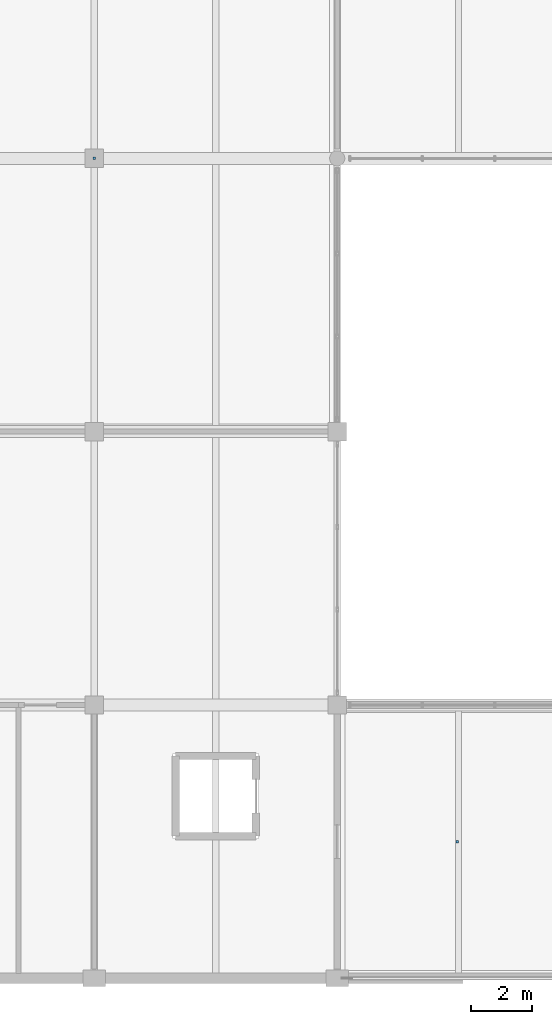
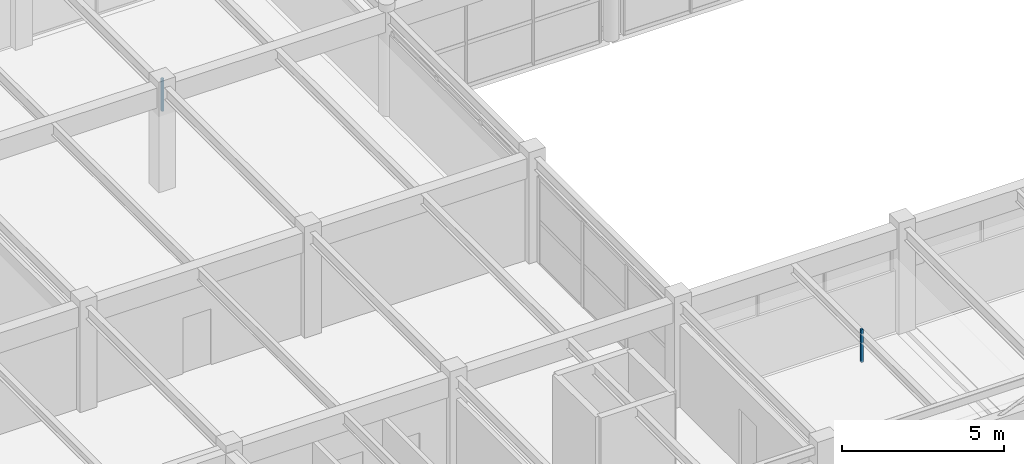
# One storey, part 111 of 126: 2 discrete accessories.
"""IFC4 building model written with IfcOpenShell, lengths in metres."""

from ifc_helpers import new_model, si_unit, direction, frame, origin, origin_2d, place, context, subcontext, project, spatial, rectangle, extrude, material, layer, layer_set, type_object, element, save


model = new_model("IFC4")

# Units and contexts
model_context = context("Model", 3, precision=1e-05, world=origin(), true_north=direction((0.0, 1.0)))
body_context = subcontext(model_context, "Body", "Model", "MODEL_VIEW")
ifc_project = project(units=[si_unit("LENGTHUNIT", "METRE"), si_unit("AREAUNIT", "SQUARE_METRE"), si_unit("VOLUMEUNIT", "CUBIC_METRE"), si_unit("PLANEANGLEUNIT", "RADIAN"), si_unit("MASSUNIT", "GRAM", prefix="KILO")], contexts=[model_context])

# Site, building, storey
site_placement = place(None, origin())
site = spatial("IfcSite", under=ifc_project, at=site_placement, CompositionType="ELEMENT")
building_placement = place(site_placement, origin())
building = spatial("IfcBuilding", under=site, at=building_placement, Name="Varnabhumi Central Station", CompositionType="ELEMENT")
storey_placement = place(building_placement, frame((0.0, 0.0, 16.199951171875)))
storey = spatial("IfcBuildingStorey", under=building, at=storey_placement, Name="L03", CompositionType="ELEMENT", Elevation=16.199951171875)

# Discrete accessories
ifc_material = material(Name="Structural steel E350", Category="steel")
ifc_layer = layer(ifc_material, 0.159912109375, Name="Structural steel E350", Category="steel")
ifc_layer_set = layer_set([ifc_layer], Name="Structural steel E350")
discrete_accessory_type = type_object("IfcDiscreteAccessoryType", Name="ACC-SHADE-BRKT", PredefinedType="BRACKET", material=ifc_layer_set)
for number, where, z_axis, x_axis, name in (
    (1, (104.0, 27.0, 2.840087890625), (0.0, 0.0, 1.0), (1.0, 0.0, 0.0), "Passenger Information and Announcement Control Room Ceiling Hanger"),
    (2, (115.949951171875, 4.5, 2.840087890625), (0.0, 0.0, 1.0), (1.0, 0.0, 0.0), "Timetable and Movement Records Store Ceiling Hanger"),
):
    element("IfcDiscreteAccessory", number, at=place(storey_placement, frame(where, z_axis=z_axis, x_axis=x_axis)), inside=storey, type_object=discrete_accessory_type, Name=name, PredefinedType="BRACKET", context=body_context, shape_type="SweptSolid", body=[
        extrude(rectangle(XDim=0.080078125, YDim=0.080078125, at=origin_2d()), origin(), (0.0, 0.0, 1.0), 1.22998046875),
    ])

save(model, "model.ifc")
